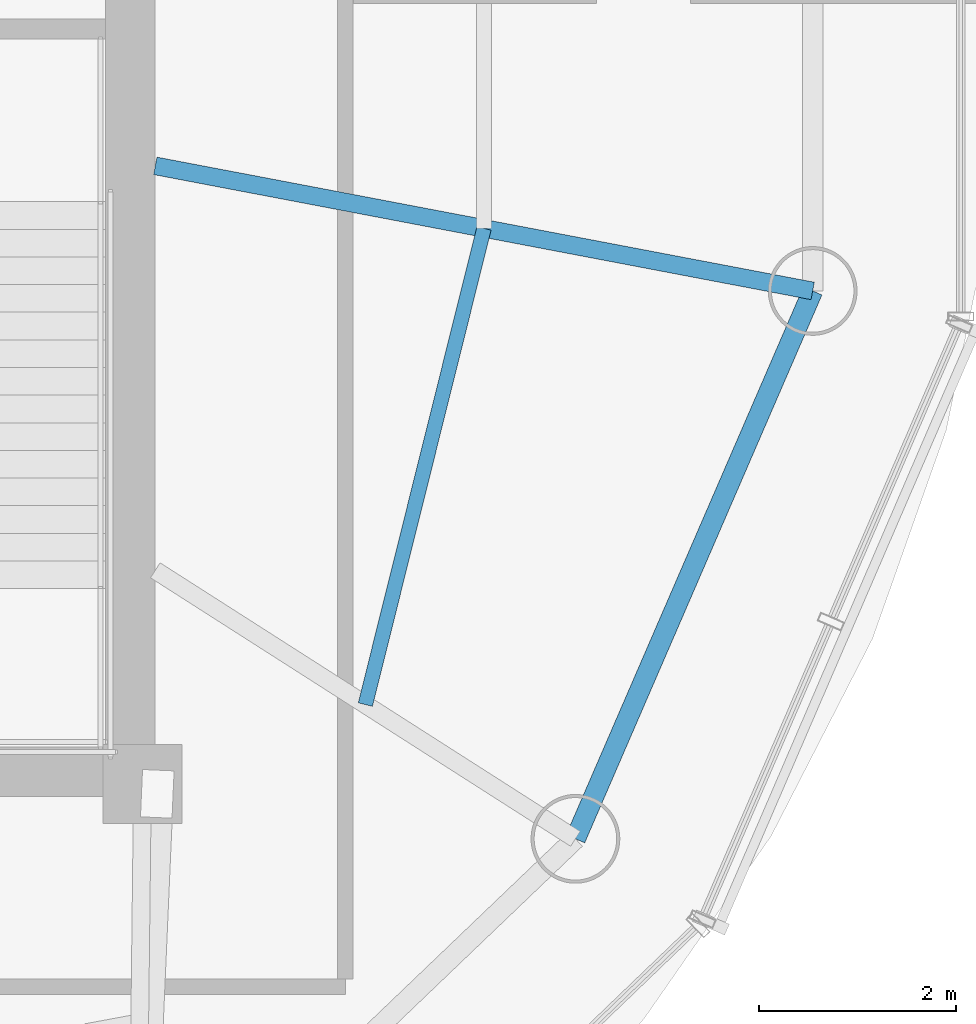
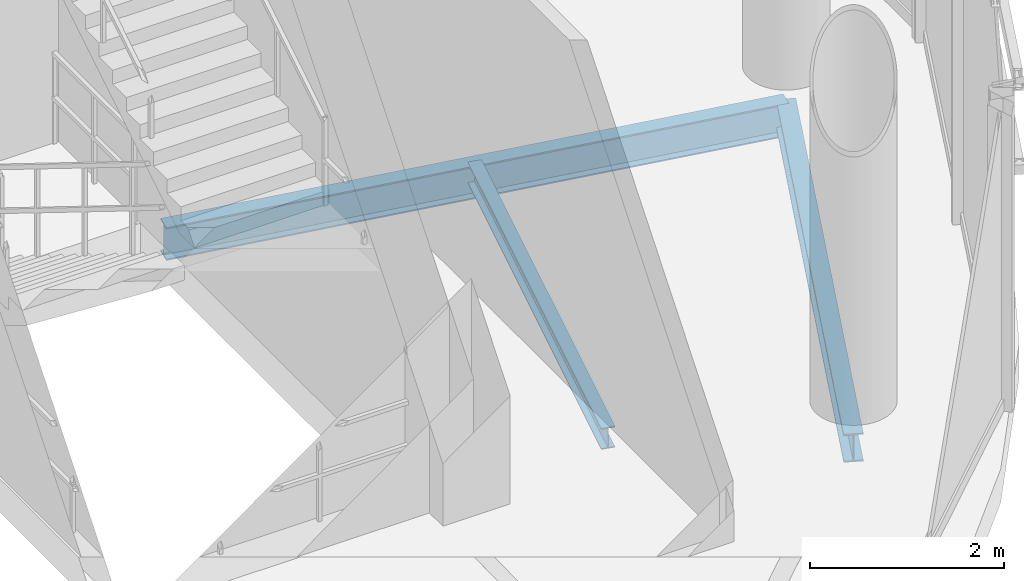
# One storey, part 5 of 15: 3 beams.
"""IFC4 building model written with IfcOpenShell, lengths in metres."""

from ifc_helpers import new_model, si_unit, direction, frame, origin, origin_2d, place, context, subcontext, project, spatial, i_section, extrude, material, material_profile, profile_set, type_object, element, save


model = new_model("IFC4")

# Units and contexts
model_context = context("Model", 3, precision=1e-05, world=origin(), true_north=direction((-0.2419218956, 0.970295726276)))
body_context = subcontext(model_context, "Body", "Model", "MODEL_VIEW")
ifc_project = project(units=[si_unit("LENGTHUNIT", "METRE"), si_unit("AREAUNIT", "SQUARE_METRE"), si_unit("VOLUMEUNIT", "CUBIC_METRE"), si_unit("PLANEANGLEUNIT", "RADIAN"), si_unit("MASSUNIT", "GRAM", prefix="KILO")], contexts=[model_context])

# Site, building, storey
site_placement = place(None, origin())
site = spatial("IfcSite", under=ifc_project, at=site_placement, CompositionType="ELEMENT")
building_placement = place(site_placement, origin())
building = spatial("IfcBuilding", under=site, at=building_placement, Name="Cobrevalo Terracotta Tower", CompositionType="ELEMENT")
storey_placement = place(building_placement, frame((0.0, 0.0, 311.300048828125)))
storey = spatial("IfcBuildingStorey", under=building, at=storey_placement, Name="L81", CompositionType="ELEMENT", Elevation=311.300048828125)

# Beams
ifc_material = material(Name="Steel S355", Category="steel")
ifc_material_profile_1 = material_profile(ifc_material, i_section(OverallWidth=0.179931640625, OverallDepth=0.4130859375, WebThickness=0.009765625, FlangeThickness=0.01611328125, at=origin_2d()), Name="W 410x75")
ifc_profile_set_1 = profile_set([ifc_material_profile_1], Name="Steel S355")
beam_type_1 = type_object("IfcBeamType", Name="Structural Beam W 410x75 (Steel S355)", PredefinedType="BEAM", material=ifc_profile_set_1)
beam_1_placement = place(storey_placement, frame((53.79052734375, 23.795654296875, -0.62646484375), z_axis=(-0.982375422254, 0.186918510993, 0.0), x_axis=(-0.186918510993, -0.982375422254, 0.0)))
element("IfcBeam", 1, at=beam_1_placement, inside=storey, type_object=beam_type_1, Name="L81 radial floor girder 16", PredefinedType="BEAM", context=body_context, shape_type="SweptSolid", body=[
    extrude(i_section(OverallWidth=0.179931640625, OverallDepth=0.4130859375, WebThickness=0.009765625, FlangeThickness=0.01611328125, at=origin_2d()), origin(), (0.0, 0.0, 1.0), 6.780029296875),
])
ifc_material_profile_2 = material_profile(ifc_material, i_section(OverallWidth=0.14794921875, OverallDepth=0.26611328125, WebThickness=0.007568359375, FlangeThickness=0.012939453125, at=origin_2d()), Name="W 250x44.8")
ifc_profile_set_2 = profile_set([ifc_material_profile_2], Name="Steel S355")
beam_type_2 = type_object("IfcBeamType", Name="Structural Joist W 250x44.8 (Steel S355)", PredefinedType="JOIST", material=ifc_profile_set_2)
beam_2_placement = place(storey_placement, frame((49.25830078125, 19.6044921875, -0.552978515625), z_axis=(0.241726809757, 0.97034434581, 0.0), x_axis=(-0.97034434581, 0.241726809757, 0.0)))
element("IfcBeam", 2, at=beam_2_placement, inside=storey, type_object=beam_type_2, Name="L81 circumferential secondary floor joist 15", PredefinedType="JOIST", context=body_context, shape_type="SweptSolid", body=[
    extrude(i_section(OverallWidth=0.14794921875, OverallDepth=0.26611328125, WebThickness=0.007568359375, FlangeThickness=0.012939453125, at=origin_2d()), origin(), (0.0, 0.0, 1.0), 4.97216796875),
])
ifc_material_profile_3 = material_profile(ifc_material, i_section(OverallWidth=0.205078125, OverallDepth=0.35400390625, WebThickness=0.009521484375, FlangeThickness=0.016845703125, at=origin_2d()), Name="W 360x79")
ifc_profile_set_3 = profile_set([ifc_material_profile_3], Name="Steel S355")
beam_type_3 = type_object("IfcBeamType", Name="Structural Spandrel W 360x79 (Steel S355)", PredefinedType="SPANDREL", material=ifc_profile_set_3)
beam_3_placement = place(storey_placement, frame((51.38671875, 18.244140625, -0.59716796875), z_axis=(0.397350333227, 0.91766699444, 0.0), x_axis=(-0.91766699444, 0.397350333227, 0.0)))
element("IfcBeam", 3, at=beam_3_placement, inside=storey, type_object=beam_type_3, Name="L81 perimeter ring spandrel 15", PredefinedType="SPANDREL", context=body_context, shape_type="SweptSolid", body=[
    extrude(i_section(OverallWidth=0.205078125, OverallDepth=0.35400390625, WebThickness=0.009521484375, FlangeThickness=0.016845703125, at=origin_2d()), origin(), (0.0, 0.0, 1.0), 6.049560546875),
])

save(model, "model.ifc")
